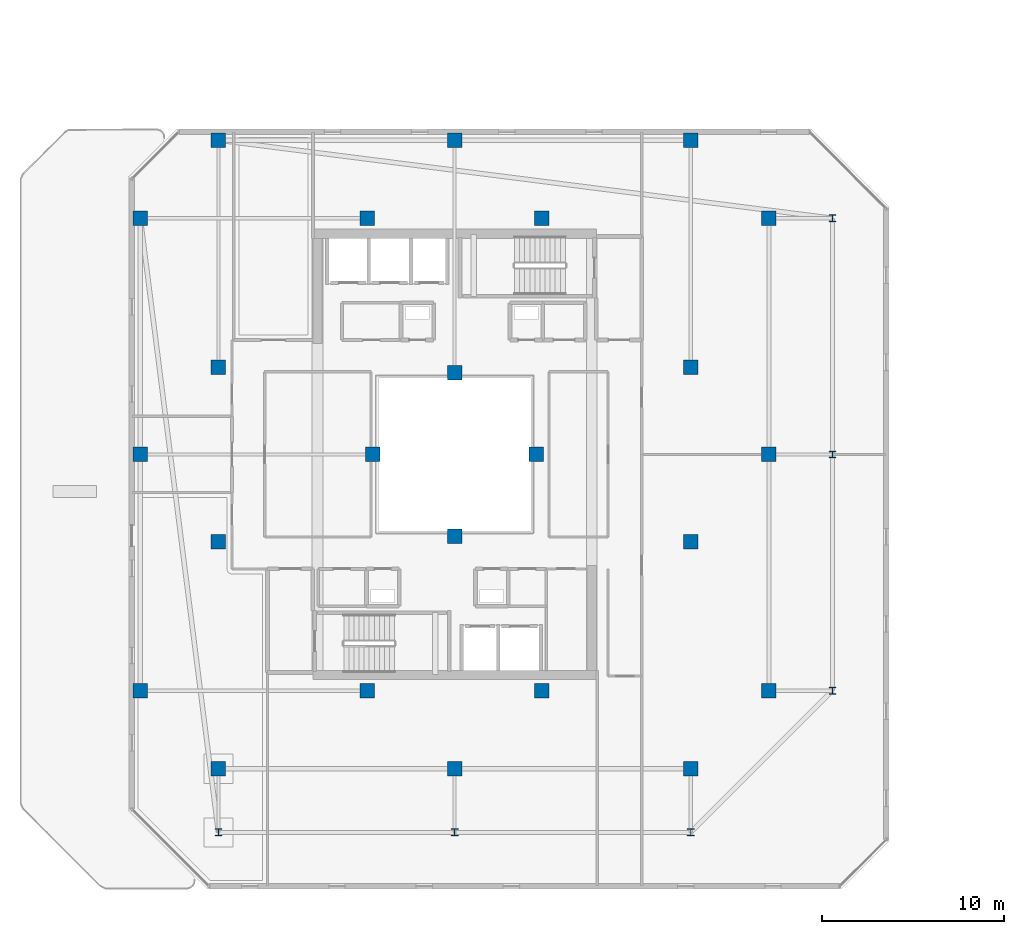
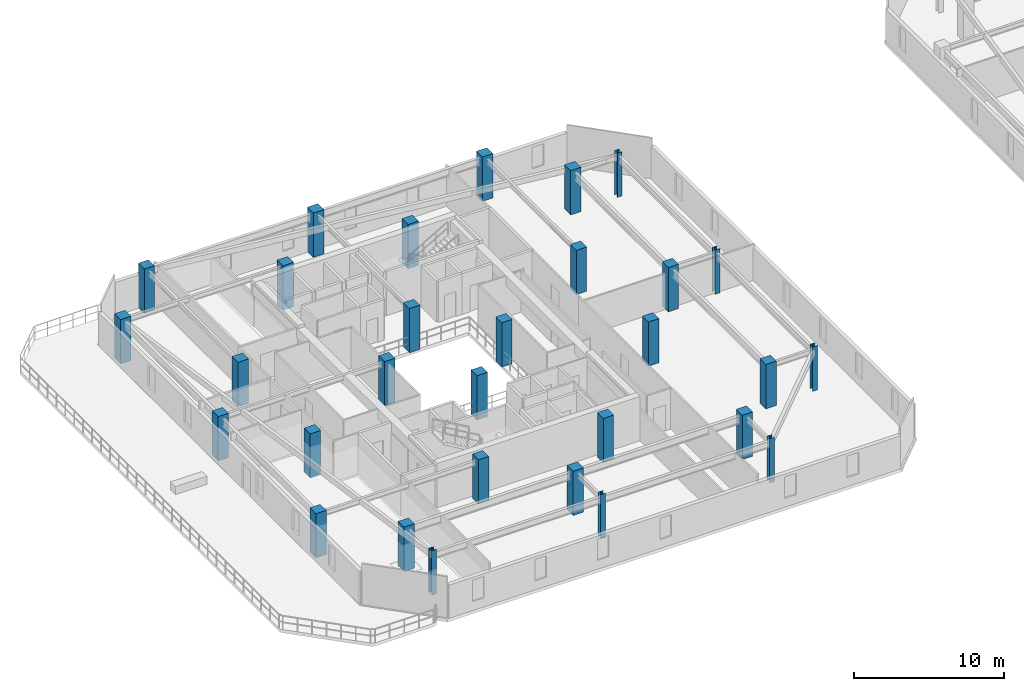
# One storey, part 1 of 31: 30 columns.
"""IFC4 building model written with IfcOpenShell, lengths in metres."""

import ifcopenshell
import ifcopenshell.guid

model = None  # the IFC model being written
_history = None  # IfcOwnerHistory: only IFC2X3 demands one
_inside = {}  # id of a spatial element -> (the spatial element, [elements in it])
_under = {}  # id of a project, library or spatial element -> (it, [spatial elements below it])
_declared = {}  # id of a project -> (the project, [libraries it declares])
_typed = {}  # id of a type object -> (the type object, [elements of that type])
_made_of = {}  # id of a material, layer set ... -> (it, [elements and type objects made of it])


def new_model(schema):
    """Start an empty IFC model of exactly this schema.

    Asked for "IFC4X3", IfcOpenShell would pick the latest addendum, in which some entities
    have other attributes; the version numbers below select the first issue.
    IFC2X3 requires an IfcOwnerHistory on every rooted entity: one is made here for all.
    """
    global model, _history
    if schema == "IFC4X3":
        model = ifcopenshell.file(schema_version=(4, 3, 0, 0))
    else:
        model = ifcopenshell.file(schema=schema)
    _inside.clear()
    _under.clear()
    _declared.clear()
    _typed.clear()
    _made_of.clear()
    _history = None
    if model.schema == "IFC2X3":
        org = make("IfcOrganization", Name="unknown")
        user = make(
            "IfcPersonAndOrganization",
            ThePerson=make("IfcPerson", FamilyName="unknown"),
            TheOrganization=org,
        )
        app = make(
            "IfcApplication",
            ApplicationDeveloper=org,
            Version="unknown",
            ApplicationFullName="unknown",
            ApplicationIdentifier="unknown",
        )
        _history = make(
            "IfcOwnerHistory",
            OwningUser=user,
            OwningApplication=app,
            ChangeAction="ADDED",
            CreationDate=0,
        )
    return model


def make(cls, **values):
    """One entity of the class cls with the attributes given. An attribute that is None is left unset."""
    return model.create_entity(
        cls, **{name: value for name, value in values.items() if value is not None}
    )


def rooted(cls, **values):
    """An entity with a GlobalId (a new one), such as an element, a storey or a relation."""
    return make(cls, GlobalId=ifcopenshell.guid.new(), OwnerHistory=_history, **values)


def si_unit(unit_type, name, prefix=None):
    """IfcSIUnit, for example si_unit("LENGTHUNIT", "METRE", prefix="MILLI")."""
    return make("IfcSIUnit", UnitType=unit_type, Prefix=prefix, Name=name)


def assignment(units):
    """IfcUnitAssignment: the units of a project."""
    return None if units is None else make("IfcUnitAssignment", Units=units)


def point(xyz):
    """IfcCartesianPoint."""
    return None if xyz is None else make("IfcCartesianPoint", Coordinates=xyz)


def direction(xyz):
    """IfcDirection."""
    return None if xyz is None else make("IfcDirection", DirectionRatios=xyz)


def frame(location, z_axis=None, x_axis=None):
    """IfcAxis2Placement3D, a coordinate frame: its origin and axes. An axis left out is left unset."""
    return make(
        "IfcAxis2Placement3D",
        Location=point(location),
        Axis=direction(z_axis),
        RefDirection=direction(x_axis),
    )


def frame_2d(location, x_axis=None):
    """IfcAxis2Placement2D, a coordinate frame in the plane: its origin and x axis."""
    return make(
        "IfcAxis2Placement2D", Location=point(location), RefDirection=direction(x_axis)
    )


def origin():
    """The frame at (0, 0, 0) with its axes left unset."""
    return frame((0.0, 0.0, 0.0))


def origin_2d():
    """The frame at (0, 0) in the plane with its x axis left unset."""
    return frame_2d((0.0, 0.0))


def place(relative_to, where):
    """IfcLocalPlacement: puts the frame where relative to a parent placement (None: the world)."""
    return make(
        "IfcLocalPlacement", PlacementRelTo=relative_to, RelativePlacement=where
    )


def context(
    kind, dimensions, precision=None, world=None, true_north=None, identifier=None
):
    """IfcGeometricRepresentationContext, for example the 3D "Model" context."""
    return make(
        "IfcGeometricRepresentationContext",
        ContextIdentifier=identifier,
        ContextType=kind,
        CoordinateSpaceDimension=dimensions,
        Precision=precision,
        WorldCoordinateSystem=world,
        TrueNorth=true_north,
    )


def subcontext(parent, identifier, kind, view, scale=None):
    """IfcGeometricRepresentationSubContext, for example "Body" below "Model"."""
    return make(
        "IfcGeometricRepresentationSubContext",
        ContextIdentifier=identifier,
        ContextType=kind,
        ParentContext=parent,
        TargetScale=scale,
        TargetView=view,
    )


def project(units=None, contexts=None):
    """IfcProject with its units and contexts."""
    return rooted(
        "IfcProject",
        Name="project",
        RepresentationContexts=contexts,
        UnitsInContext=assignment(units),
    )


def spatial(cls, under=None, at=None, **own):
    """A site, building, storey or space (cls), placed at a placement, below another one or the project."""
    s = rooted(cls, ObjectPlacement=at, **own)
    if under is not None:
        _under.setdefault(under.id(), (under, []))[1].append(s)
    return s


def profile(cls, at=None, kind="AREA", **sizes):
    """A parametric profile (cls). Its sizes go by their IFC names, for example OverallWidth=200.0."""
    return make(cls, ProfileType=kind, Position=at, **sizes)


def rectangle(**sizes):
    """IfcRectangleProfileDef."""
    return profile("IfcRectangleProfileDef", **sizes)


def i_section(**sizes):
    """IfcIShapeProfileDef."""
    return profile("IfcIShapeProfileDef", **sizes)


def extrude(swept, where, along, depth):
    """IfcExtrudedAreaSolid: the profile swept, set in the frame where, extruded along a direction by depth."""
    return make(
        "IfcExtrudedAreaSolid",
        SweptArea=swept,
        Position=where,
        ExtrudedDirection=direction(along),
        Depth=depth,
    )


def shape(context_of_items, identifier, shape_type, items):
    """IfcShapeRepresentation: the items that make up one representation, for example the "Body"."""
    return make(
        "IfcShapeRepresentation",
        ContextOfItems=context_of_items,
        RepresentationIdentifier=identifier,
        RepresentationType=shape_type,
        Items=items,
    )


def material(Name=None, Category=None):
    """IfcMaterial."""
    return make("IfcMaterial", Name=Name, Category=Category)


def material_profile(
    of_material, cross_section, Name=None, Category=None, Priority=None
):
    """IfcMaterialProfile: a cross section and its material."""
    return make(
        "IfcMaterialProfile",
        Name=Name,
        Material=of_material,
        Profile=cross_section,
        Priority=Priority,
        Category=Category,
    )


def profile_set(profiles, Name=None, composite=None):
    """IfcMaterialProfileSet."""
    return make(
        "IfcMaterialProfileSet",
        Name=Name,
        MaterialProfiles=profiles,
        CompositeProfile=composite,
    )


def made_of(thing, what):
    """Note that an element or type object is made of a material, layer set ...; save() writes the relation."""
    if what is not None:
        _made_of.setdefault(what.id(), (what, []))[1].append(thing)
    return thing


def type_object(cls, material=None, **own):
    """A type object (cls), such as IfcWallType, which elements share."""
    return made_of(rooted(cls, **own), material)


def element(
    cls,
    number,
    at=None,
    inside=None,
    cuts=None,
    type_object=None,
    material=None,
    context=None,
    identifier="Body",
    shape_type=None,
    held_by="IfcProductDefinitionShape",
    body=None,
    shapes=None,
    **own,
):
    """One element of the class cls, such as IfcWall. Its Tag is "e" and its number.

    at: its placement. inside: the storey or other place that contains it. cuts: it is an
    opening in that element (IfcRelVoidsElement). A single representation is given by context,
    identifier, shape_type and body (its items); several are given by shapes. held_by: the class
    of the entity that holds the representations. save() writes the other relations.
    """
    e = rooted(cls, Tag="e%d" % number, ObjectPlacement=at, **own)
    if body is not None:
        shapes = [shape(context, identifier, shape_type, body)]
    if shapes is not None:
        e.Representation = make(held_by, Representations=shapes)
    if inside is not None:
        _inside.setdefault(inside.id(), (inside, []))[1].append(e)
    if cuts is not None:
        rooted(
            "IfcRelVoidsElement", RelatingBuildingElement=cuts, RelatedOpeningElement=e
        )
    if type_object is not None:
        _typed.setdefault(type_object.id(), (type_object, []))[1].append(e)
    return made_of(e, material)


def aggregate(whole, parts):
    """IfcRelAggregates: a whole, such as a stair, and the parts it consists of."""
    return rooted("IfcRelAggregates", RelatingObject=whole, RelatedObjects=parts)


def save(model, path):
    """Write the relations noted so far, then the file.

    IfcRelAggregates (storeys below a building ...), IfcRelContainedInSpatialStructure (elements
    in a storey), IfcRelDefinesByType, IfcRelAssociatesMaterial and IfcRelDeclares: one each for
    every whole, place, type object, material and project.
    """
    for whole, parts in _under.values():
        aggregate(whole, parts)
    for where, things in _inside.values():
        rooted(
            "IfcRelContainedInSpatialStructure",
            RelatedElements=things,
            RelatingStructure=where,
        )
    for kind, things in _typed.values():
        rooted("IfcRelDefinesByType", RelatedObjects=things, RelatingType=kind)
    for what, things in _made_of.values():
        rooted("IfcRelAssociatesMaterial", RelatedObjects=things, RelatingMaterial=what)
    for by, libraries in _declared.values():
        rooted("IfcRelDeclares", RelatingContext=by, RelatedDefinitions=libraries)
    model.write(path)


model = new_model("IFC4")

# Units and contexts
model_context = context("Model", 3, precision=1e-05, world=origin(), true_north=direction((0.0, 1.0)))
body_context = subcontext(model_context, "Body", "Model", "MODEL_VIEW")
ifc_project = project(units=[si_unit("LENGTHUNIT", "METRE"), si_unit("AREAUNIT", "SQUARE_METRE"), si_unit("VOLUMEUNIT", "CUBIC_METRE"), si_unit("PLANEANGLEUNIT", "RADIAN"), si_unit("MASSUNIT", "GRAM", prefix="KILO")], contexts=[model_context])

# Site, building, storey
site_placement = place(None, origin())
site = spatial("IfcSite", under=ifc_project, at=site_placement, CompositionType="ELEMENT")
building_placement = place(site_placement, origin())
building = spatial("IfcBuilding", under=site, at=building_placement, Name="Thornwick Lancets Civic Towers", CompositionType="ELEMENT")
storey_placement = place(building_placement, frame((0.0, 0.0, 254.699951171875)))
storey = spatial("IfcBuildingStorey", under=building, at=storey_placement, Name="L68", CompositionType="ELEMENT", Elevation=254.699951171875)

# Columns
ifc_material_1 = material(Name="Concrete C50/60", Category="concrete")
ifc_material_profile_1 = material_profile(ifc_material_1, rectangle(XDim=0.800048828125, YDim=0.800048828125, at=origin_2d()), Name="RC 800x800")
ifc_profile_set_1 = profile_set([ifc_material_profile_1], Name="Concrete C50/60")
column_type_1 = type_object("IfcColumnType", Name="COL_RC_800", PredefinedType="COLUMN", material=ifc_profile_set_1)
for number, where, z_axis, x_axis, name in (
    (1, (12.5, 9.699951171875, 0.0), (0.0, 0.0, 1.0), (1.0, 0.0, 0.0), "L68 Spine Mega-Column A01"),
    (2, (25.5, 9.699951171875, 0.0), (0.0, 0.0, 1.0), (1.0, 0.0, 0.0), "L68 Spine Mega-Column A02"),
    (3, (38.5, 9.699951171875, 0.0), (0.0, 0.0, 1.0), (1.0, 0.0, 0.0), "L68 Spine Mega-Column A03"),
    (4, (42.800048828125, 14.0, 0.0), (0.0, 0.0, 1.0), (1.0, 0.0, 0.0), "L68 Spine Mega-Column A04"),
    (5, (42.800048828125, 27.0, 0.0), (0.0, 0.0, 1.0), (1.0, 0.0, 0.0), "L68 Spine Mega-Column A05"),
    (6, (42.800048828125, 40.0, 0.0), (0.0, 0.0, 1.0), (1.0, 0.0, 0.0), "L68 Spine Mega-Column A06"),
    (7, (12.5, 44.300048828125, 0.0), (0.0, 0.0, 1.0), (1.0, 0.0, 0.0), "L68 Spine Mega-Column A07"),
    (8, (25.5, 44.300048828125, 0.0), (0.0, 0.0, 1.0), (1.0, 0.0, 0.0), "L68 Spine Mega-Column A08"),
    (9, (38.5, 44.300048828125, 0.0), (0.0, 0.0, 1.0), (1.0, 0.0, 0.0), "L68 Spine Mega-Column A09"),
    (10, (8.199951171875, 14.0, 0.0), (0.0, 0.0, 1.0), (1.0, 0.0, 0.0), "L68 Spine Mega-Column A10"),
    (11, (8.199951171875, 27.0, 0.0), (0.0, 0.0, 1.0), (1.0, 0.0, 0.0), "L68 Spine Mega-Column A11"),
    (12, (8.199951171875, 40.0, 0.0), (0.0, 0.0, 1.0), (1.0, 0.0, 0.0), "L68 Spine Mega-Column A12"),
    (13, (12.5, 22.199951171875, 0.0), (0.0, 0.0, 1.0), (1.0, 0.0, 0.0), "L68 Spine Mega-Column A13"),
    (14, (38.5, 22.199951171875, 0.0), (0.0, 0.0, 1.0), (1.0, 0.0, 0.0), "L68 Spine Mega-Column A14"),
    (15, (12.5, 31.800048828125, 0.0), (0.0, 0.0, 1.0), (1.0, 0.0, 0.0), "L68 Spine Mega-Column A15"),
    (16, (38.5, 31.800048828125, 0.0), (0.0, 0.0, 1.0), (1.0, 0.0, 0.0), "L68 Spine Mega-Column A16"),
    (17, (20.699951171875, 14.0, 0.0), (0.0, 0.0, 1.0), (1.0, 0.0, 0.0), "L68 Spine Mega-Column A17"),
    (18, (30.300048828125, 14.0, 0.0), (0.0, 0.0, 1.0), (1.0, 0.0, 0.0), "L68 Spine Mega-Column A18"),
    (19, (20.699951171875, 40.0, 0.0), (0.0, 0.0, 1.0), (1.0, 0.0, 0.0), "L68 Spine Mega-Column A19"),
    (20, (30.300048828125, 40.0, 0.0), (0.0, 0.0, 1.0), (1.0, 0.0, 0.0), "L68 Spine Mega-Column A20"),
    (21, (25.5, 22.5, 0.0), (0.0, 0.0, 1.0), (1.0, 0.0, 0.0), "L68 Spine Mega-Column A21"),
    (22, (25.5, 31.5, 0.0), (0.0, 0.0, 1.0), (1.0, 0.0, 0.0), "L68 Spine Mega-Column A22"),
    (23, (21.0, 27.0, 0.0), (0.0, 0.0, 1.0), (1.0, 0.0, 0.0), "L68 Spine Mega-Column A23"),
    (24, (30.0, 27.0, 0.0), (0.0, 0.0, 1.0), (1.0, 0.0, 0.0), "L68 Spine Mega-Column A24"),
):
    element("IfcColumn", number, at=place(storey_placement, frame(where, z_axis=z_axis, x_axis=x_axis)), inside=storey, type_object=column_type_1, Name=name, PredefinedType="COLUMN", context=body_context, shape_type="SweptSolid", body=[
        extrude(rectangle(XDim=0.800048828125, YDim=0.800048828125, at=origin_2d()), origin(), (0.0, 0.0, 1.0), 3.60009765625),
    ])
ifc_material_2 = material(Name="Steel S355JR", Category="steel")
ifc_material_profile_2 = material_profile(ifc_material_2, i_section(OverallWidth=0.374755859375, OverallDepth=0.37451171875, WebThickness=0.0166015625, FlangeThickness=0.027099609375, FilletRadius=0.01513671875, at=origin_2d()), Name="UKC 356x368x202")
ifc_profile_set_2 = profile_set([ifc_material_profile_2], Name="Steel S355JR")
column_type_2 = type_object("IfcColumnType", Name="COL_UKC_202", PredefinedType="COLUMN", material=ifc_profile_set_2)
for number, where, z_axis, x_axis, name in (
    (25, (12.5, 6.199951171875, 0.0), (0.0, 0.0, 1.0), (1.0, 0.0, 0.0), "L68 Block Perimeter Column A01"),
    (26, (25.5, 6.199951171875, 0.0), (0.0, 0.0, 1.0), (1.0, 0.0, 0.0), "L68 Block Perimeter Column A02"),
    (27, (38.5, 6.199951171875, 0.0), (0.0, 0.0, 1.0), (1.0, 0.0, 0.0), "L68 Block Perimeter Column A03"),
    (28, (46.300048828125, 14.0, 0.0), (0.0, 0.0, 1.0), (1.0, 0.0, 0.0), "L68 Block Perimeter Column A04"),
    (29, (46.300048828125, 27.0, 0.0), (0.0, 0.0, 1.0), (1.0, 0.0, 0.0), "L68 Block Perimeter Column A05"),
    (30, (46.300048828125, 40.0, 0.0), (0.0, 0.0, 1.0), (1.0, 0.0, 0.0), "L68 Block Perimeter Column A06"),
):
    element("IfcColumn", number, at=place(storey_placement, frame(where, z_axis=z_axis, x_axis=x_axis)), inside=storey, type_object=column_type_2, Name=name, PredefinedType="COLUMN", context=body_context, shape_type="SweptSolid", body=[
        extrude(i_section(OverallWidth=0.374755859375, OverallDepth=0.37451171875, WebThickness=0.0166015625, FlangeThickness=0.027099609375, FilletRadius=0.01513671875, at=origin_2d()), origin(), (0.0, 0.0, 1.0), 3.60009765625),
    ])

save(model, "model.ifc")
